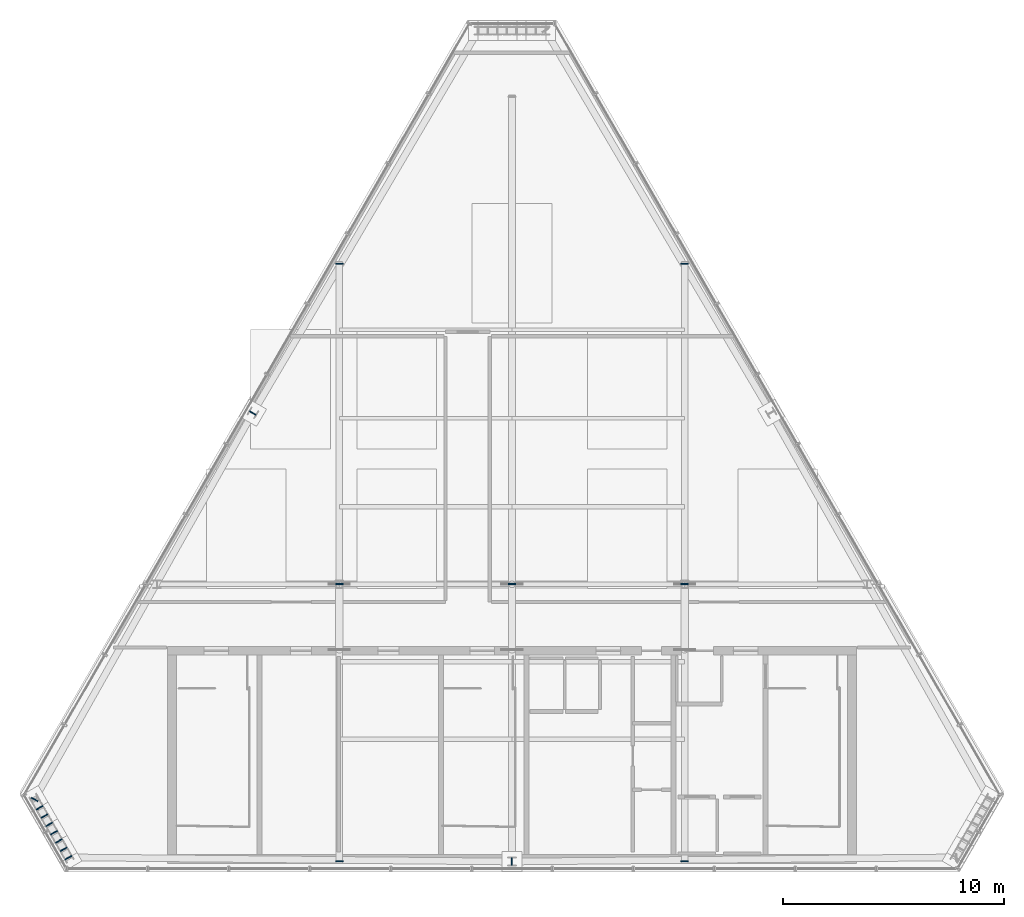
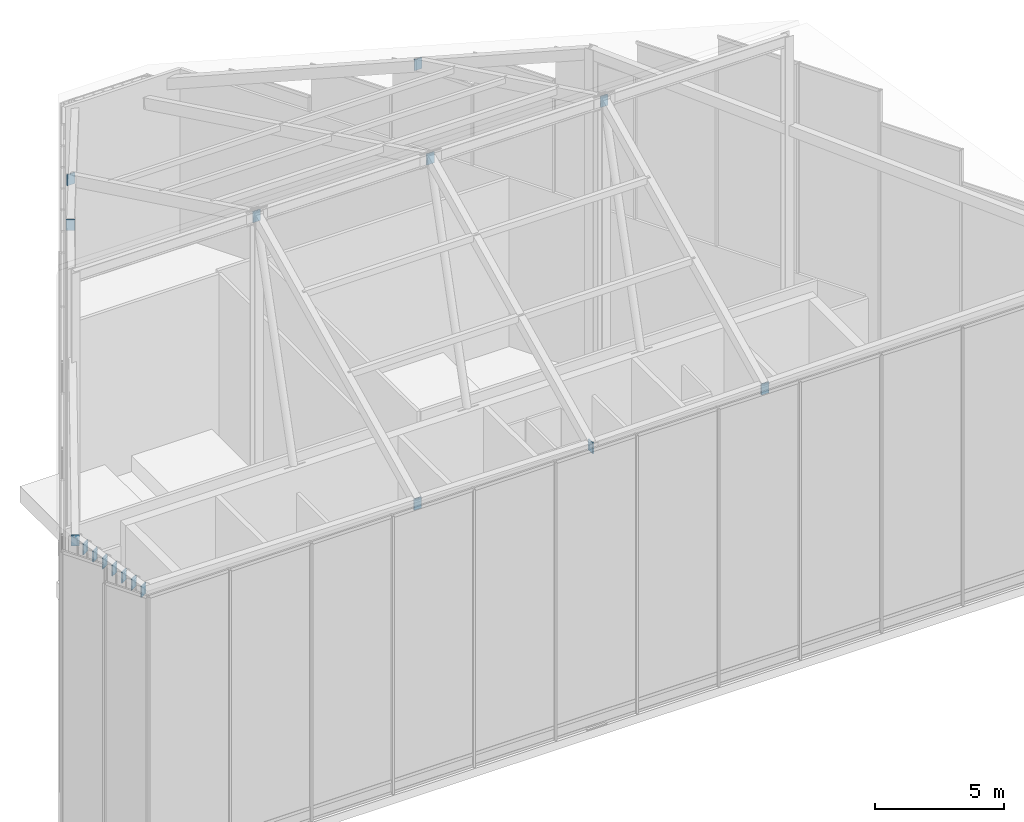
# One storey, part 32 of 36: 17 plates.
"""IFC4 building model written with IfcOpenShell, lengths in metres."""

from ifc_helpers import new_model, si_unit, direction, frame, origin, origin_2d, place, context, subcontext, project, spatial, rectangle, extrude, material, layer, layer_set, type_object, element, save


model = new_model("IFC4")

# Units and contexts
model_context = context("Model", 3, precision=1e-05, world=origin(), true_north=direction((0.0, 1.0)))
body_context = subcontext(model_context, "Body", "Model", "MODEL_VIEW")
ifc_project = project(units=[si_unit("LENGTHUNIT", "METRE"), si_unit("AREAUNIT", "SQUARE_METRE"), si_unit("VOLUMEUNIT", "CUBIC_METRE"), si_unit("PLANEANGLEUNIT", "RADIAN"), si_unit("MASSUNIT", "GRAM", prefix="KILO")], contexts=[model_context])

# Site, building, storey
site_placement = place(None, origin())
site = spatial("IfcSite", under=ifc_project, at=site_placement, CompositionType="ELEMENT")
building_placement = place(site_placement, origin())
building = spatial("IfcBuilding", under=site, at=building_placement, Name="Ndaravel Arena Tower", CompositionType="ELEMENT")
storey_placement = place(building_placement, frame((0.0, 0.0, 308.10009765625)))
storey = spatial("IfcBuildingStorey", under=building, at=storey_placement, Name="Roof Crown", CompositionType="ELEMENT", Elevation=308.10009765625)

# Plates
ifc_material = material(Name="Steel S460", Category="steel")
ifc_layer = layer(ifc_material, 0.050048828125)
ifc_layer_set = layer_set([ifc_layer], Name="Steel S460")
plate_type = type_object("IfcPlateType", Name="PLT-CAP-STF2", PredefinedType="USERDEFINED", material=ifc_layer_set)
for number, where, z_axis, x_axis, name in (
    (1, (41.985107421875, 5.47998046875, 12.833984375), (0.0, 0.0, 1.0), (0.999955587109, 0.009424638433, 0.0), "Roof Crown Hollow Section Sealed End Cap Plate HCP-077"),
    (2, (30.292724609375, 25.7333984375, 15.168701171875), (0.0, 0.0, 1.0), (-0.508139769859, -0.861274621876, 0.0), "Roof Crown Hollow Section Sealed End Cap Plate HCP-095"),
    (3, (20.435791015625, 8.284423828125, 14.20751953125), (0.0, 0.0, 1.0), (-0.49181581725, -0.870699260309, 0.0), "Roof Crown Hollow Section Sealed End Cap Plate HCP-096"),
    (4, (20.6669921875, 7.90966796875, 14.019287109375), (0.0, 0.0, 1.0), (0.5, -0.866025403784, 0.0), "Roof Crown Hollow Section Sealed End Cap Plate HCP-097"),
    (5, (20.8837890625, 7.5341796875, 13.8359375), (0.0, 0.0, 1.0), (0.500151142331, -0.865938124132, 0.0), "Roof Crown Hollow Section Sealed End Cap Plate HCP-098"),
    (6, (21.1005859375, 7.158447265625, 13.652587890625), (0.0, 0.0, 1.0), (0.5, -0.866025403784, 0.0), "Roof Crown Hollow Section Sealed End Cap Plate HCP-099"),
    (7, (21.3173828125, 6.78271484375, 13.469482421875), (0.0, 0.0, 1.0), (0.499848842438, -0.866112657056, 0.0), "Roof Crown Hollow Section Sealed End Cap Plate HCP-100"),
    (8, (21.534423828125, 6.406982421875, 13.286376953125), (0.0, 0.0, 1.0), (0.5, -0.866025403784, 0.0), "Roof Crown Hollow Section Sealed End Cap Plate HCP-101"),
    (9, (21.751220703125, 6.031494140625, 13.10302734375), (0.0, 0.0, 1.0), (0.500151142331, -0.865938124132, 0.0), "Roof Crown Hollow Section Sealed End Cap Plate HCP-102"),
    (10, (21.96826171875, 5.65576171875, 12.919921875), (0.0, 0.0, 1.0), (0.5, -0.866025403784, 0.0), "Roof Crown Hollow Section Sealed End Cap Plate HCP-103"),
    (11, (34.199951171875, 5.486572265625, 12.847412109375), (0.0, 0.0, 1.0), (0.0, 1.0, 0.0), "Roof Crown Hollow Section Sealed End Cap Plate HCP-104"),
    (12, (34.199951171875, 18.013427734375, 18.906982421875), (0.0, 0.0, 1.0), (0.0, 1.0, 0.0), "Roof Crown Hollow Section Sealed End Cap Plate HCP-105"),
    (13, (34.199951171875, 32.47412109375, 11.89111328125), (0.0, 0.0, 1.0), (0.0, 1.0, 0.0), "Roof Crown Hollow Section Sealed End Cap Plate HCP-106"),
    (14, (42.0, 18.013427734375, 18.906982421875), (0.0, 0.0, 1.0), (0.0, 1.0, 0.0), "Roof Crown Hollow Section Sealed End Cap Plate HCP-107"),
    (15, (49.800048828125, 5.486572265625, 12.847412109375), (0.0, 0.0, 1.0), (0.0, 1.0, 0.0), "Roof Crown Hollow Section Sealed End Cap Plate HCP-109"),
    (16, (49.800048828125, 18.013427734375, 18.906982421875), (0.0, 0.0, 1.0), (0.0, 1.0, 0.0), "Roof Crown Hollow Section Sealed End Cap Plate HCP-110"),
    (17, (49.800048828125, 32.47412109375, 11.89111328125), (0.0, 0.0, 1.0), (0.0, 1.0, 0.0), "Roof Crown Hollow Section Sealed End Cap Plate HCP-111"),
):
    element("IfcPlate", number, at=place(storey_placement, frame(where, z_axis=z_axis, x_axis=x_axis)), inside=storey, type_object=plate_type, Name=name, ObjectType="STIFFENER_PLATE", PredefinedType="USERDEFINED", context=body_context, shape_type="SweptSolid", body=[
        extrude(rectangle(XDim=0.050048828125, YDim=0.340087890625, at=origin_2d()), origin(), (0.0, 0.0, 1.0), 0.52001953125),
    ])

save(model, "model.ifc")
